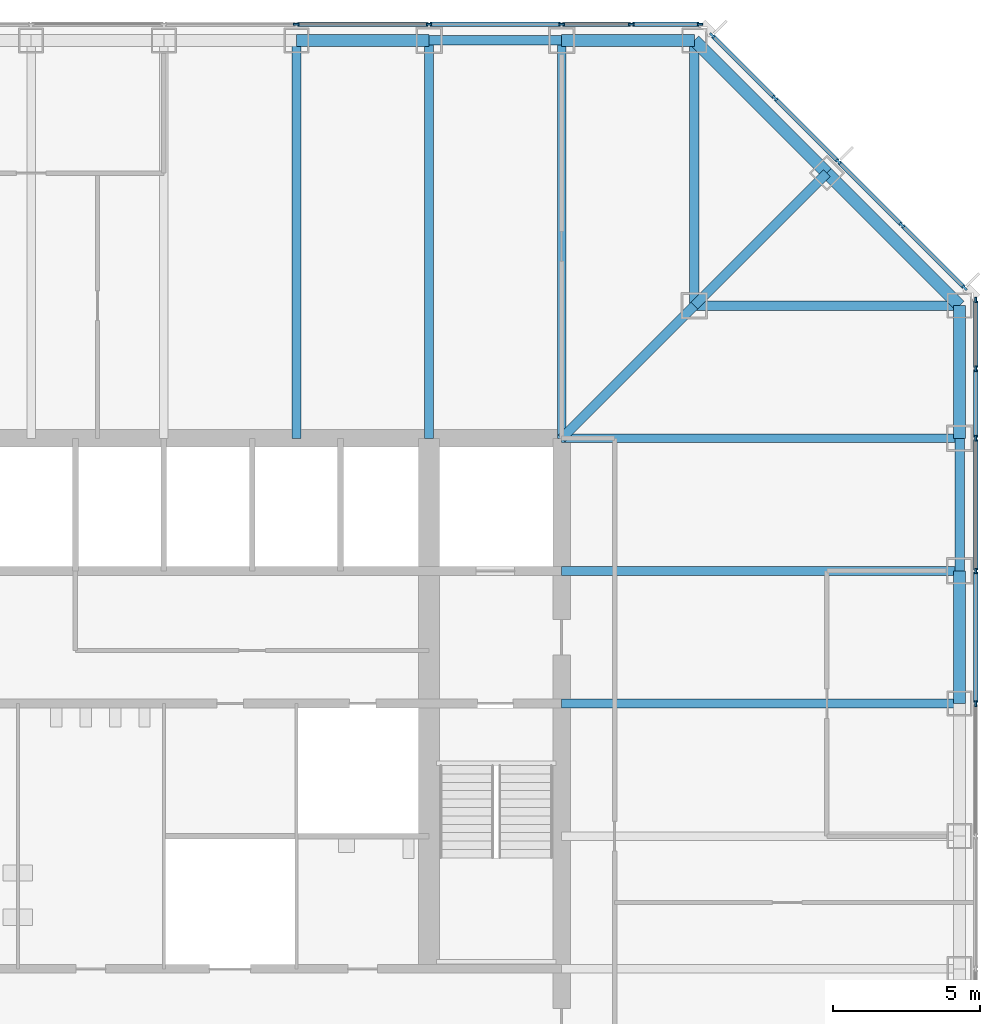
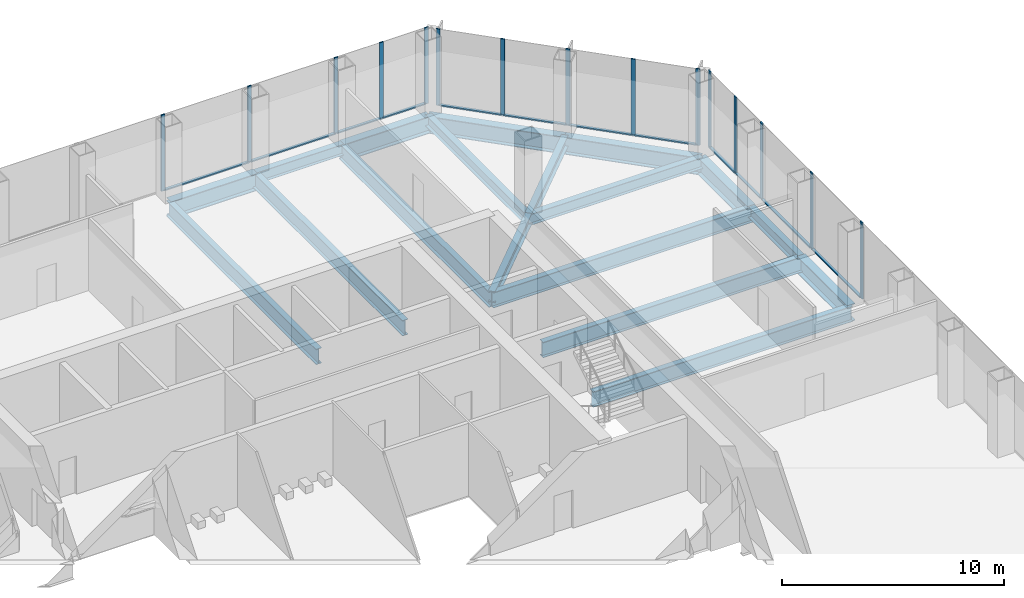
# One storey, part 6 of 12: 27 members, 18 beams, 3 elements without a shape of their own.
"""IFC4 building model written with IfcOpenShell, lengths in metres."""

from ifc_helpers import new_model, si_unit, direction, frame, origin, origin_2d, place, context, subcontext, project, spatial, rectangle, i_section, extrude, material, material_profile, profile_set, type_object, element, aggregate, save


model = new_model("IFC4")

# Units and contexts
model_context = context("Model", 3, precision=1e-05, world=origin(), true_north=direction((0.0, 1.0)))
body_context = subcontext(model_context, "Body", "Model", "MODEL_VIEW")
ifc_project = project(units=[si_unit("LENGTHUNIT", "METRE"), si_unit("AREAUNIT", "SQUARE_METRE"), si_unit("VOLUMEUNIT", "CUBIC_METRE"), si_unit("PLANEANGLEUNIT", "RADIAN"), si_unit("MASSUNIT", "GRAM", prefix="KILO")], contexts=[model_context])

# Site, building, storey
site_placement = place(None, origin())
site = spatial("IfcSite", under=ifc_project, at=site_placement, CompositionType="ELEMENT")
building_placement = place(site_placement, origin())
building = spatial("IfcBuilding", under=site, at=building_placement, Name="Corais Broadcast Tower", CompositionType="ELEMENT")
storey_placement = place(building_placement, frame((0.0, 0.0, 100.39990234375)))
storey = spatial("IfcBuildingStorey", under=building, at=storey_placement, Name="L22", CompositionType="ELEMENT", Elevation=100.39990234375)

# Beams
ifc_material_1 = material(Name="Steel ASTM A572 Grade 50", Category="steel")
ifc_material_profile_1 = material_profile(ifc_material_1, i_section(OverallWidth=0.323974609375, OverallDepth=0.611083984375, WebThickness=0.0126953125, FlangeThickness=0.01904296875, at=origin_2d()), Name="W610x155")
ifc_profile_set_1 = profile_set([ifc_material_profile_1], Name="Steel ASTM A572 Grade 50")
beam_type_1 = type_object("IfcBeamType", Name="Chamfer tie W610x155", PredefinedType="BEAM", material=ifc_profile_set_1)
beam_1_placement = place(storey_placement, frame((49.5, 49.5, -0.46533203125), z_axis=(-0.707106781187, -0.707106781187, 0.0), x_axis=(0.707106781187, -0.707106781187, 0.0)))
element("IfcBeam", 1, at=beam_1_placement, inside=storey, type_object=beam_type_1, Name="B5 M/14 to L/13", PredefinedType="BEAM", context=body_context, shape_type="SweptSolid", body=[
    extrude(i_section(OverallWidth=0.323974609375, OverallDepth=0.611083984375, WebThickness=0.0126953125, FlangeThickness=0.01904296875, at=origin_2d()), origin(), (0.0, 0.0, 1.0), 6.364013671875),
])
ifc_material_2 = material(Name="Steel ASTM A572 Grade 50", Category="steel")
ifc_material_profile_2 = material_profile(ifc_material_2, i_section(OverallWidth=0.323974609375, OverallDepth=0.611083984375, WebThickness=0.0126953125, FlangeThickness=0.01904296875, at=origin_2d()), Name="W610x155")
ifc_profile_set_2 = profile_set([ifc_material_profile_2], Name="Steel ASTM A572 Grade 50")
beam_type_2 = type_object("IfcBeamType", Name="Corner diagonal W610x155", PredefinedType="BEAM", material=ifc_profile_set_2)
beam_2_placement = place(storey_placement, frame((45.0, 45.0, -0.46533203125), z_axis=(-0.707106781187, -0.707106781187, 0.0), x_axis=(0.707106781187, -0.707106781187, 0.0)))
element("IfcBeam", 2, at=beam_2_placement, inside=storey, type_object=beam_type_2, Name="B6 L/13 to K/12", PredefinedType="BEAM", context=body_context, shape_type="SweptSolid", body=[
    extrude(i_section(OverallWidth=0.323974609375, OverallDepth=0.611083984375, WebThickness=0.0126953125, FlangeThickness=0.01904296875, at=origin_2d()), origin(), (0.0, 0.0, 1.0), 6.364013671875),
])
ifc_material_3 = material(Name="Steel ASTM A572 Grade 50", Category="steel")
ifc_material_profile_3 = material_profile(ifc_material_3, i_section(OverallWidth=0.323974609375, OverallDepth=0.611083984375, WebThickness=0.0126953125, FlangeThickness=0.01904296875, at=origin_2d()), Name="W610x155")
ifc_profile_set_3 = profile_set([ifc_material_profile_3], Name="Steel ASTM A572 Grade 50")
beam_type_3 = type_object("IfcBeamType", Name="Corner girder W610x155", PredefinedType="BEAM", material=ifc_profile_set_3)
for number, where, z_axis, x_axis, name in (
    (3, (45.0, 54.0, -0.46533203125), (0.0, -1.0, 0.0), (1.0, 0.0, 0.0), "B4 N/13 to L/13"),
    (4, (54.0, 45.0, -0.46533203125), (-1.0, 0.0, 0.0), (0.0, -1.0, 0.0), "B4 L/15 to L/13"),
):
    element("IfcBeam", number, at=place(storey_placement, frame(where, z_axis=z_axis, x_axis=x_axis)), inside=storey, type_object=beam_type_3, Name=name, PredefinedType="BEAM", context=body_context, shape_type="SweptSolid", body=[
        extrude(i_section(OverallWidth=0.323974609375, OverallDepth=0.611083984375, WebThickness=0.0126953125, FlangeThickness=0.01904296875, at=origin_2d()), origin(), (0.0, 0.0, 1.0), 9.0),
    ])
ifc_material_4 = material(Name="Steel ASTM A572 Grade 50", Category="steel")
ifc_material_profile_4 = material_profile(ifc_material_4, i_section(OverallWidth=0.2939453125, OverallDepth=0.85107421875, WebThickness=0.01611328125, FlangeThickness=0.02685546875, at=origin_2d()), Name="W840x226")
ifc_profile_set_4 = profile_set([ifc_material_profile_4], Name="Steel ASTM A572 Grade 50")
beam_type_4 = type_object("IfcBeamType", Name="Floor beam W840x226", PredefinedType="BEAM", material=ifc_profile_set_4)
for number, where, z_axis, x_axis, name in (
    (5, (31.5, 54.0, -0.58544921875), (0.0, -1.0, 0.0), (1.0, 0.0, 0.0), "B1 N/10 to K/10"),
    (6, (36.0, 54.0, -0.58544921875), (0.0, -1.0, 0.0), (1.0, 0.0, 0.0), "B1 N/11 to K/11"),
    (7, (40.5, 54.0, -0.58544921875), (0.0, -1.0, 0.0), (1.0, 0.0, 0.0), "B1 N/12 to K/12"),
    (8, (54.0, 31.5, -0.58544921875), (-1.0, 0.0, 0.0), (0.0, -1.0, 0.0), "B1 H/15 to H/12"),
    (9, (54.0, 36.0, -0.58544921875), (-1.0, 0.0, 0.0), (0.0, -1.0, 0.0), "B1 J/15 to J/12"),
    (10, (54.0, 40.5, -0.58544921875), (-1.0, 0.0, 0.0), (0.0, -1.0, 0.0), "B1 K/15 to K/12"),
):
    element("IfcBeam", number, at=place(storey_placement, frame(where, z_axis=z_axis, x_axis=x_axis)), inside=storey, type_object=beam_type_4, Name=name, PredefinedType="BEAM", context=body_context, shape_type="SweptSolid", body=[
        extrude(i_section(OverallWidth=0.2939453125, OverallDepth=0.85107421875, WebThickness=0.01611328125, FlangeThickness=0.02685546875, at=origin_2d()), origin(), (0.0, 0.0, 1.0), 13.5),
    ])

# Curtain wall, members
ifc_material_5 = material(Name="Aluminium and glass", Category="aluminium")
curtain_wall_type = type_object("IfcCurtainWallType", Name="Unitised fritted curtain wall CW1", PredefinedType="NOTDEFINED", material=ifc_material_5)
curtain_wall_1_placement = place(storey_placement, origin())
curtain_wall_1 = element("IfcCurtainWall", 11, at=curtain_wall_1_placement, inside=storey, type_object=curtain_wall_type, Name="CW1 curtain wall L22 4", PredefinedType="NOTDEFINED")
ifc_material_6 = material(Name="Aluminium 6063-T6", Category="aluminium")
ifc_material_profile_5 = material_profile(ifc_material_6, rectangle(XDim=0.06494140625, YDim=0.199951171875, at=origin_2d()), Name="Mullion CW1 65x200")
ifc_profile_set_5 = profile_set([ifc_material_profile_5], Name="Aluminium 6063-T6")
member_type_1 = type_object("IfcMemberType", Name="Mullion CW1 65x200", PredefinedType="MULLION", material=ifc_profile_set_5)
member_1_placement = place(storey_placement, frame((31.5, 54.550048828125, 0.0), z_axis=(0.0, 0.0, 1.0), x_axis=(0.0, 1.0, 0.0)))
member_1 = element("IfcMember", 12, at=member_1_placement, type_object=member_type_1, Name="CW1 mullion 7", PredefinedType="MULLION", context=body_context, shape_type="SweptSolid", body=[
    extrude(rectangle(XDim=0.06494140625, YDim=0.199951171875, at=origin_2d()), origin(), (0.0, 0.0, 1.0), 4.2001953125),
])
member_2_placement = place(storey_placement, frame((36.0, 54.550048828125, 0.0), z_axis=(0.0, 0.0, 1.0), x_axis=(0.0, 1.0, 0.0)))
member_2 = element("IfcMember", 13, at=member_2_placement, type_object=member_type_1, Name="CW1 mullion 8", PredefinedType="MULLION", context=body_context, shape_type="SweptSolid", body=[
    extrude(rectangle(XDim=0.06494140625, YDim=0.199951171875, at=origin_2d()), origin(), (0.0, 0.0, 1.0), 4.2001953125),
])
member_3_placement = place(storey_placement, frame((40.5, 54.550048828125, 0.0), z_axis=(0.0, 0.0, 1.0), x_axis=(0.0, 1.0, 0.0)))
member_3 = element("IfcMember", 14, at=member_3_placement, type_object=member_type_1, Name="CW1 mullion 9", PredefinedType="MULLION", context=body_context, shape_type="SweptSolid", body=[
    extrude(rectangle(XDim=0.06494140625, YDim=0.199951171875, at=origin_2d()), origin(), (0.0, 0.0, 1.0), 4.2001953125),
])
member_4_placement = place(storey_placement, frame((42.864013671875, 54.550048828125, 0.0), z_axis=(0.0, 0.0, 1.0), x_axis=(0.0, 1.0, 0.0)))
member_4 = element("IfcMember", 15, at=member_4_placement, type_object=member_type_1, Name="CW1 mullion 10", PredefinedType="MULLION", context=body_context, shape_type="SweptSolid", body=[
    extrude(rectangle(XDim=0.06494140625, YDim=0.199951171875, at=origin_2d()), origin(), (0.0, 0.0, 1.0), 4.2001953125),
])
member_5_placement = place(storey_placement, frame((45.1953125, 54.550048828125, 0.0), z_axis=(0.0, 0.0, 1.0), x_axis=(0.0, 1.0, 0.0)))
member_5 = element("IfcMember", 16, at=member_5_placement, type_object=member_type_1, Name="CW1 mullion 11", PredefinedType="MULLION", context=body_context, shape_type="SweptSolid", body=[
    extrude(rectangle(XDim=0.06494140625, YDim=0.199951171875, at=origin_2d()), origin(), (0.0, 0.0, 1.0), 4.2001953125),
])

curtain_wall_2_placement = place(storey_placement, origin())
curtain_wall_2 = element("IfcCurtainWall", 17, at=curtain_wall_2_placement, inside=storey, type_object=curtain_wall_type, Name="CW1 curtain wall L22 5", PredefinedType="NOTDEFINED")
member_6_placement = place(storey_placement, frame((45.6044921875, 54.17333984375, 0.0), z_axis=(0.0, 0.0, 1.0), x_axis=(0.707106781187, 0.707106781187, 0.0)))
member_6 = element("IfcMember", 18, at=member_6_placement, type_object=member_type_1, Name="CW1 mullion 1", PredefinedType="MULLION", context=body_context, shape_type="SweptSolid", body=[
    extrude(rectangle(XDim=0.06494140625, YDim=0.199951171875, at=origin_2d()), origin(), (0.0, 0.0, 1.0), 4.2001953125),
])
member_7_placement = place(storey_placement, frame((47.735107421875, 52.042724609375, 0.0), z_axis=(0.0, 0.0, 1.0), x_axis=(0.707106781187, 0.707106781187, 0.0)))
member_7 = element("IfcMember", 19, at=member_7_placement, type_object=member_type_1, Name="CW1 mullion 2", PredefinedType="MULLION", context=body_context, shape_type="SweptSolid", body=[
    extrude(rectangle(XDim=0.06494140625, YDim=0.199951171875, at=origin_2d()), origin(), (0.0, 0.0, 1.0), 4.2001953125),
])
member_8_placement = place(storey_placement, frame((49.888916015625, 49.888916015625, 0.0), z_axis=(0.0, 0.0, 1.0), x_axis=(0.707106781187, 0.707106781187, 0.0)))
member_8 = element("IfcMember", 20, at=member_8_placement, type_object=member_type_1, Name="CW1 mullion 3", PredefinedType="MULLION", context=body_context, shape_type="SweptSolid", body=[
    extrude(rectangle(XDim=0.06494140625, YDim=0.199951171875, at=origin_2d()), origin(), (0.0, 0.0, 1.0), 4.2001953125),
])
member_9_placement = place(storey_placement, frame((52.042724609375, 47.735107421875, 0.0), z_axis=(0.0, 0.0, 1.0), x_axis=(0.707106781187, 0.707106781187, 0.0)))
member_9 = element("IfcMember", 21, at=member_9_placement, type_object=member_type_1, Name="CW1 mullion 4", PredefinedType="MULLION", context=body_context, shape_type="SweptSolid", body=[
    extrude(rectangle(XDim=0.06494140625, YDim=0.199951171875, at=origin_2d()), origin(), (0.0, 0.0, 1.0), 4.2001953125),
])
member_10_placement = place(storey_placement, frame((54.17333984375, 45.6044921875, 0.0), z_axis=(0.0, 0.0, 1.0), x_axis=(0.707106781187, 0.707106781187, 0.0)))
member_10 = element("IfcMember", 22, at=member_10_placement, type_object=member_type_1, Name="CW1 mullion 5", PredefinedType="MULLION", context=body_context, shape_type="SweptSolid", body=[
    extrude(rectangle(XDim=0.06494140625, YDim=0.199951171875, at=origin_2d()), origin(), (0.0, 0.0, 1.0), 4.2001953125),
])

curtain_wall_3_placement = place(storey_placement, origin())
curtain_wall_3 = element("IfcCurtainWall", 23, at=curtain_wall_3_placement, inside=storey, type_object=curtain_wall_type, Name="CW1 curtain wall L22 6", PredefinedType="NOTDEFINED")
member_11_placement = place(storey_placement, frame((54.550048828125, 45.1953125, 0.0), z_axis=(0.0, 0.0, 1.0), x_axis=(1.0, 0.0, 0.0)))
member_11 = element("IfcMember", 24, at=member_11_placement, type_object=member_type_1, Name="CW1 mullion 1", PredefinedType="MULLION", context=body_context, shape_type="SweptSolid", body=[
    extrude(rectangle(XDim=0.06494140625, YDim=0.199951171875, at=origin_2d()), origin(), (0.0, 0.0, 1.0), 4.2001953125),
])
member_12_placement = place(storey_placement, frame((54.550048828125, 42.864013671875, 0.0), z_axis=(0.0, 0.0, 1.0), x_axis=(1.0, 0.0, 0.0)))
member_12 = element("IfcMember", 25, at=member_12_placement, type_object=member_type_1, Name="CW1 mullion 2", PredefinedType="MULLION", context=body_context, shape_type="SweptSolid", body=[
    extrude(rectangle(XDim=0.06494140625, YDim=0.199951171875, at=origin_2d()), origin(), (0.0, 0.0, 1.0), 4.2001953125),
])
member_13_placement = place(storey_placement, frame((54.550048828125, 40.5, 0.0), z_axis=(0.0, 0.0, 1.0), x_axis=(1.0, 0.0, 0.0)))
member_13 = element("IfcMember", 26, at=member_13_placement, type_object=member_type_1, Name="CW1 mullion 3", PredefinedType="MULLION", context=body_context, shape_type="SweptSolid", body=[
    extrude(rectangle(XDim=0.06494140625, YDim=0.199951171875, at=origin_2d()), origin(), (0.0, 0.0, 1.0), 4.2001953125),
])
member_14_placement = place(storey_placement, frame((54.550048828125, 36.0, 0.0), z_axis=(0.0, 0.0, 1.0), x_axis=(1.0, 0.0, 0.0)))
member_14 = element("IfcMember", 27, at=member_14_placement, type_object=member_type_1, Name="CW1 mullion 4", PredefinedType="MULLION", context=body_context, shape_type="SweptSolid", body=[
    extrude(rectangle(XDim=0.06494140625, YDim=0.199951171875, at=origin_2d()), origin(), (0.0, 0.0, 1.0), 4.2001953125),
])
member_15_placement = place(storey_placement, frame((54.550048828125, 31.5, 0.0), z_axis=(0.0, 0.0, 1.0), x_axis=(1.0, 0.0, 0.0)))
member_15 = element("IfcMember", 28, at=member_15_placement, type_object=member_type_1, Name="CW1 mullion 5", PredefinedType="MULLION", context=body_context, shape_type="SweptSolid", body=[
    extrude(rectangle(XDim=0.06494140625, YDim=0.199951171875, at=origin_2d()), origin(), (0.0, 0.0, 1.0), 4.2001953125),
])

# Beams
ifc_material_7 = material(Name="Steel ASTM A572 Grade 50", Category="steel")
ifc_material_profile_6 = material_profile(ifc_material_7, i_section(OverallWidth=0.323974609375, OverallDepth=0.611083984375, WebThickness=0.0126953125, FlangeThickness=0.01904296875, at=origin_2d()), Name="W610x155")
ifc_profile_set_6 = profile_set([ifc_material_profile_6], Name="Steel ASTM A572 Grade 50")
beam_type_5 = type_object("IfcBeamType", Name="Pinned spandrel W610x155", PredefinedType="BEAM", material=ifc_profile_set_6)
for number, where, z_axis, x_axis, name in (
    (29, (40.5, 54.0, -0.46533203125), (-1.0, 0.0, 0.0), (0.0, -1.0, 0.0), "SB6 N/12 to N/11"),
    (30, (54.0, 36.0, -0.46533203125), (0.0, 1.0, 0.0), (-1.0, 0.0, 0.0), "SB6 J/15 to K/15"),
):
    element("IfcBeam", number, at=place(storey_placement, frame(where, z_axis=z_axis, x_axis=x_axis)), inside=storey, type_object=beam_type_5, Name=name, PredefinedType="BEAM", context=body_context, shape_type="SweptSolid", body=[
        extrude(i_section(OverallWidth=0.323974609375, OverallDepth=0.611083984375, WebThickness=0.0126953125, FlangeThickness=0.01904296875, at=origin_2d()), origin(), (0.0, 0.0, 1.0), 4.5),
    ])
ifc_material_8 = material(Name="Steel ASTM A572 Grade 50", Category="steel")
ifc_material_profile_7 = material_profile(ifc_material_8, i_section(OverallWidth=0.4189453125, OverallDepth=0.94189453125, WebThickness=0.022216796875, FlangeThickness=0.03662109375, at=origin_2d()), Name="W920x345")
ifc_profile_set_7 = profile_set([ifc_material_profile_7], Name="Steel ASTM A572 Grade 50")
beam_type_6 = type_object("IfcBeamType", Name="Transfer spandrel W920x345", PredefinedType="BEAM", material=ifc_profile_set_7)
for number, where, z_axis, x_axis, name in (
    (31, (36.0, 54.0, -0.630859375), (-1.0, 0.0, 0.0), (0.0, -1.0, 0.0), "SB4 N/11 to N/10"),
    (32, (45.0, 54.0, -0.630859375), (-1.0, 0.0, 0.0), (0.0, -1.0, 0.0), "SB4 N/13 to N/12"),
):
    element("IfcBeam", number, at=place(storey_placement, frame(where, z_axis=z_axis, x_axis=x_axis)), inside=storey, type_object=beam_type_6, Name=name, PredefinedType="BEAM", context=body_context, shape_type="SweptSolid", body=[
        extrude(i_section(OverallWidth=0.4189453125, OverallDepth=0.94189453125, WebThickness=0.022216796875, FlangeThickness=0.03662109375, at=origin_2d()), origin(), (0.0, 0.0, 1.0), 4.5),
    ])
beam_3_placement = place(storey_placement, frame((49.5, 49.5, -0.630859375), z_axis=(-0.707106781187, 0.707106781187, 0.0), x_axis=(-0.707106781187, -0.707106781187, 0.0)))
element("IfcBeam", 33, at=beam_3_placement, inside=storey, type_object=beam_type_6, Name="SB4 M/14 to N/13", PredefinedType="BEAM", context=body_context, shape_type="SweptSolid", body=[
    extrude(i_section(OverallWidth=0.4189453125, OverallDepth=0.94189453125, WebThickness=0.022216796875, FlangeThickness=0.03662109375, at=origin_2d()), origin(), (0.0, 0.0, 1.0), 6.364013671875),
])
for number, where, z_axis, x_axis, name in (
    (34, (54.0, 31.5, -0.630859375), (0.0, 1.0, 0.0), (-1.0, 0.0, 0.0), "SB4 H/15 to J/15"),
    (35, (54.0, 40.5, -0.630859375), (0.0, 1.0, 0.0), (-1.0, 0.0, 0.0), "SB4 K/15 to L/15"),
):
    element("IfcBeam", number, at=place(storey_placement, frame(where, z_axis=z_axis, x_axis=x_axis)), inside=storey, type_object=beam_type_6, Name=name, PredefinedType="BEAM", context=body_context, shape_type="SweptSolid", body=[
        extrude(i_section(OverallWidth=0.4189453125, OverallDepth=0.94189453125, WebThickness=0.022216796875, FlangeThickness=0.03662109375, at=origin_2d()), origin(), (0.0, 0.0, 1.0), 4.5),
    ])
beam_4_placement = place(storey_placement, frame((54.0, 45.0, -0.630859375), z_axis=(-0.707106781187, 0.707106781187, 0.0), x_axis=(-0.707106781187, -0.707106781187, 0.0)))
element("IfcBeam", 36, at=beam_4_placement, inside=storey, type_object=beam_type_6, Name="SB4 L/15 to M/14", PredefinedType="BEAM", context=body_context, shape_type="SweptSolid", body=[
    extrude(i_section(OverallWidth=0.4189453125, OverallDepth=0.94189453125, WebThickness=0.022216796875, FlangeThickness=0.03662109375, at=origin_2d()), origin(), (0.0, 0.0, 1.0), 6.364013671875),
])

# Member
ifc_material_9 = material(Name="Aluminium 6063-T6", Category="aluminium")
ifc_material_profile_8 = material_profile(ifc_material_9, rectangle(XDim=0.139892578125, YDim=0.06494140625, at=origin_2d()), Name="Transom CW1 65x140")
ifc_profile_set_8 = profile_set([ifc_material_profile_8], Name="Aluminium 6063-T6")
member_type_2 = type_object("IfcMemberType", Name="Transom CW1 65x140", PredefinedType="USERDEFINED", material=ifc_profile_set_8)
member_16_placement = place(storey_placement, frame((31.532470703125, 54.550048828125, 0.03271484375), z_axis=(1.0, 0.0, 0.0), x_axis=(0.0, 1.0, 0.0)))
member_16 = element("IfcMember", 37, at=member_16_placement, type_object=member_type_2, Name="CW1 transom 7.1", ObjectType="TRANSOM", PredefinedType="USERDEFINED", context=body_context, shape_type="SweptSolid", body=[
    extrude(rectangle(XDim=0.139892578125, YDim=0.06494140625, at=origin_2d()), origin(), (0.0, 0.0, 1.0), 4.43505859375),
])

member_17_placement = place(storey_placement, frame((36.032470703125, 54.550048828125, 0.03271484375), z_axis=(1.0, 0.0, 0.0), x_axis=(0.0, 1.0, 0.0)))
member_17 = element("IfcMember", 38, at=member_17_placement, type_object=member_type_2, Name="CW1 transom 8.1", ObjectType="TRANSOM", PredefinedType="USERDEFINED", context=body_context, shape_type="SweptSolid", body=[
    extrude(rectangle(XDim=0.139892578125, YDim=0.06494140625, at=origin_2d()), origin(), (0.0, 0.0, 1.0), 4.43505859375),
])

member_18_placement = place(storey_placement, frame((40.532470703125, 54.550048828125, 0.03271484375), z_axis=(1.0, 0.0, 0.0), x_axis=(0.0, 1.0, 0.0)))
member_18 = element("IfcMember", 39, at=member_18_placement, type_object=member_type_2, Name="CW1 transom 9.1", ObjectType="TRANSOM", PredefinedType="USERDEFINED", context=body_context, shape_type="SweptSolid", body=[
    extrude(rectangle(XDim=0.139892578125, YDim=0.06494140625, at=origin_2d()), origin(), (0.0, 0.0, 1.0), 2.298828125),
])

member_19_placement = place(storey_placement, frame((42.896484375, 54.550048828125, 0.03271484375), z_axis=(1.0, 0.0, 0.0), x_axis=(0.0, 1.0, 0.0)))
member_19 = element("IfcMember", 40, at=member_19_placement, type_object=member_type_2, Name="CW1 transom 10.1", ObjectType="TRANSOM", PredefinedType="USERDEFINED", context=body_context, shape_type="SweptSolid", body=[
    extrude(rectangle(XDim=0.139892578125, YDim=0.06494140625, at=origin_2d()), origin(), (0.0, 0.0, 1.0), 2.266357421875),
])

aggregate(curtain_wall_1, [member_1, member_2, member_3, member_4, member_5, member_16, member_17, member_18, member_19])

member_20_placement = place(storey_placement, frame((45.62744140625, 54.150390625, 0.03271484375), z_axis=(0.707106781187, -0.707106781187, 0.0), x_axis=(0.707106781187, 0.707106781187, 0.0)))
member_20 = element("IfcMember", 41, at=member_20_placement, type_object=member_type_2, Name="CW1 transom 1.1", ObjectType="TRANSOM", PredefinedType="USERDEFINED", context=body_context, shape_type="SweptSolid", body=[
    extrude(rectangle(XDim=0.139892578125, YDim=0.06494140625, at=origin_2d()), origin(), (0.0, 0.0, 1.0), 2.9482421875),
])

member_21_placement = place(storey_placement, frame((47.758056640625, 52.019775390625, 0.03271484375), z_axis=(0.707106781187, -0.707106781187, 0.0), x_axis=(0.707106781187, 0.707106781187, 0.0)))
member_21 = element("IfcMember", 42, at=member_21_placement, type_object=member_type_2, Name="CW1 transom 2.1", ObjectType="TRANSOM", PredefinedType="USERDEFINED", context=body_context, shape_type="SweptSolid", body=[
    extrude(rectangle(XDim=0.139892578125, YDim=0.06494140625, at=origin_2d()), origin(), (0.0, 0.0, 1.0), 2.98095703125),
])

member_22_placement = place(storey_placement, frame((49.911865234375, 49.865966796875, 0.03271484375), z_axis=(0.707106781187, -0.707106781187, 0.0), x_axis=(0.707106781187, 0.707106781187, 0.0)))
member_22 = element("IfcMember", 43, at=member_22_placement, type_object=member_type_2, Name="CW1 transom 3.1", ObjectType="TRANSOM", PredefinedType="USERDEFINED", context=body_context, shape_type="SweptSolid", body=[
    extrude(rectangle(XDim=0.139892578125, YDim=0.06494140625, at=origin_2d()), origin(), (0.0, 0.0, 1.0), 2.98095703125),
])

member_23_placement = place(storey_placement, frame((52.065673828125, 47.712158203125, 0.03271484375), z_axis=(0.707106781187, -0.707106781187, 0.0), x_axis=(0.707106781187, 0.707106781187, 0.0)))
member_23 = element("IfcMember", 44, at=member_23_placement, type_object=member_type_2, Name="CW1 transom 4.1", ObjectType="TRANSOM", PredefinedType="USERDEFINED", context=body_context, shape_type="SweptSolid", body=[
    extrude(rectangle(XDim=0.139892578125, YDim=0.06494140625, at=origin_2d()), origin(), (0.0, 0.0, 1.0), 2.9482421875),
])

aggregate(curtain_wall_2, [member_6, member_7, member_8, member_9, member_10, member_20, member_21, member_22, member_23])

member_24_placement = place(storey_placement, frame((54.550048828125, 45.162841796875, 0.03271484375), z_axis=(0.0, -1.0, 0.0), x_axis=(1.0, 0.0, 0.0)))
member_24 = element("IfcMember", 45, at=member_24_placement, type_object=member_type_2, Name="CW1 transom 1.1", ObjectType="TRANSOM", PredefinedType="USERDEFINED", context=body_context, shape_type="SweptSolid", body=[
    extrude(rectangle(XDim=0.139892578125, YDim=0.06494140625, at=origin_2d()), origin(), (0.0, 0.0, 1.0), 2.266357421875),
])

member_25_placement = place(storey_placement, frame((54.550048828125, 42.831298828125, 0.03271484375), z_axis=(0.0, -1.0, 0.0), x_axis=(1.0, 0.0, 0.0)))
member_25 = element("IfcMember", 46, at=member_25_placement, type_object=member_type_2, Name="CW1 transom 2.1", ObjectType="TRANSOM", PredefinedType="USERDEFINED", context=body_context, shape_type="SweptSolid", body=[
    extrude(rectangle(XDim=0.139892578125, YDim=0.06494140625, at=origin_2d()), origin(), (0.0, 0.0, 1.0), 2.298828125),
])

member_26_placement = place(storey_placement, frame((54.550048828125, 40.467529296875, 0.03271484375), z_axis=(0.0, -1.0, 0.0), x_axis=(1.0, 0.0, 0.0)))
member_26 = element("IfcMember", 47, at=member_26_placement, type_object=member_type_2, Name="CW1 transom 3.1", ObjectType="TRANSOM", PredefinedType="USERDEFINED", context=body_context, shape_type="SweptSolid", body=[
    extrude(rectangle(XDim=0.139892578125, YDim=0.06494140625, at=origin_2d()), origin(), (0.0, 0.0, 1.0), 4.43505859375),
])

member_27_placement = place(storey_placement, frame((54.550048828125, 35.967529296875, 0.03271484375), z_axis=(0.0, -1.0, 0.0), x_axis=(1.0, 0.0, 0.0)))
member_27 = element("IfcMember", 48, at=member_27_placement, type_object=member_type_2, Name="CW1 transom 4.1", ObjectType="TRANSOM", PredefinedType="USERDEFINED", context=body_context, shape_type="SweptSolid", body=[
    extrude(rectangle(XDim=0.139892578125, YDim=0.06494140625, at=origin_2d()), origin(), (0.0, 0.0, 1.0), 4.43505859375),
])

aggregate(curtain_wall_3, [member_11, member_12, member_13, member_14, member_15, member_24, member_25, member_26, member_27])

save(model, "model.ifc")
